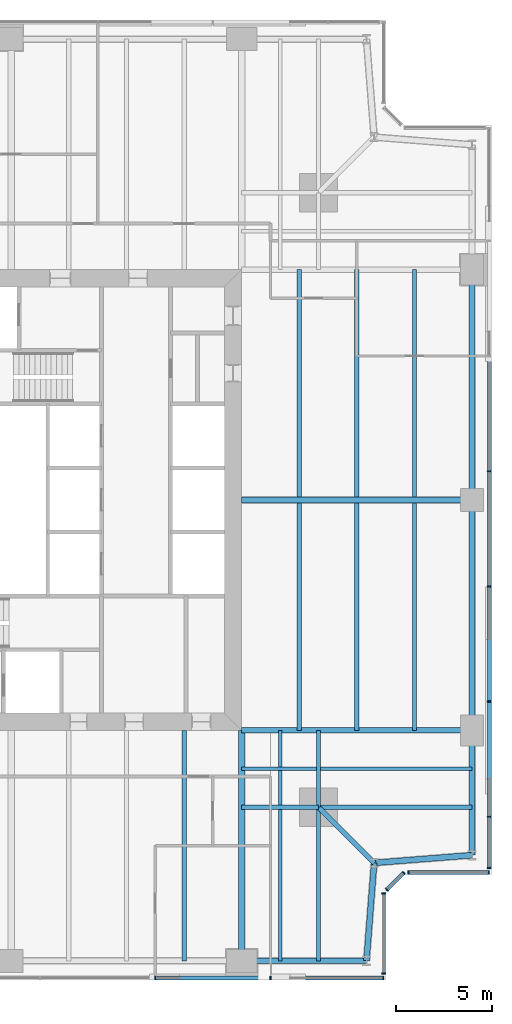
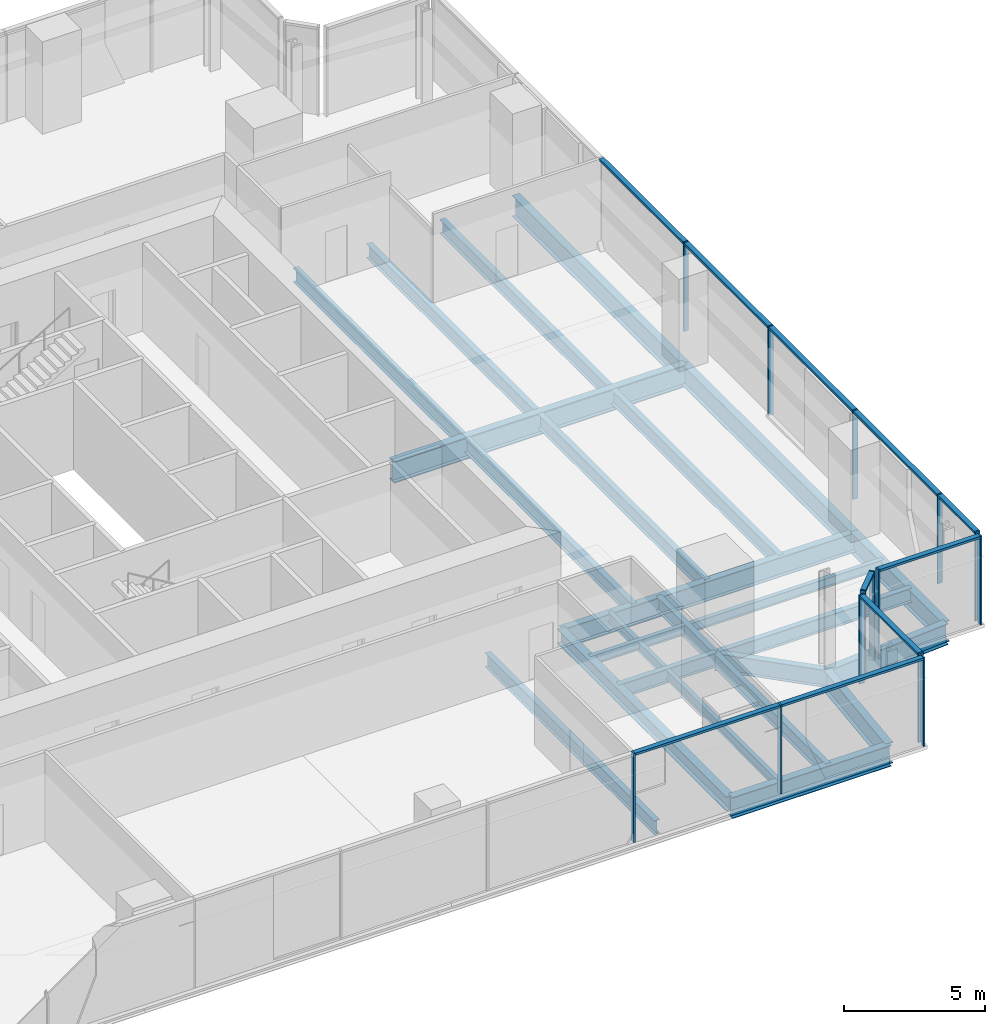
# One storey, part 5 of 14: 26 beams, 24 members, 5 elements without a shape of their own.
"""IFC4 building model written with IfcOpenShell, lengths in metres."""

from ifc_helpers import new_model, si_unit, direction, frame, origin, origin_2d, place, context, subcontext, project, spatial, rectangle, i_section, extrude, material, material_profile, profile_set, type_object, element, aggregate, save


model = new_model("IFC4")

# Units and contexts
model_context = context("Model", 3, precision=1e-05, world=origin(), true_north=direction((0.0, 1.0)))
body_context = subcontext(model_context, "Body", "Model", "MODEL_VIEW")
ifc_project = project(units=[si_unit("LENGTHUNIT", "METRE"), si_unit("AREAUNIT", "SQUARE_METRE"), si_unit("VOLUMEUNIT", "CUBIC_METRE"), si_unit("PLANEANGLEUNIT", "RADIAN"), si_unit("MASSUNIT", "GRAM", prefix="KILO")], contexts=[model_context])

# Site, building, storey
site_placement = place(None, origin())
site = spatial("IfcSite", under=ifc_project, at=site_placement, CompositionType="ELEMENT")
building_placement = place(site_placement, origin())
building = spatial("IfcBuilding", under=site, at=building_placement, Name="Fenwick Lantern Interchange", CompositionType="ELEMENT")
storey_placement = place(building_placement, frame((0.0, 0.0, 197.800048828125)))
storey = spatial("IfcBuildingStorey", under=building, at=storey_placement, Name="L46", CompositionType="ELEMENT", Elevation=197.800048828125)

# Beams
ifc_material_1 = material(Name="Steel ASTM A992 Grade 50", Category="steel")
ifc_material_profile_1 = material_profile(ifc_material_1, i_section(OverallWidth=0.3046875, OverallDepth=0.911865234375, WebThickness=0.015869140625, FlangeThickness=0.02392578125, at=origin_2d()), Name="W36X150")
ifc_profile_set_1 = profile_set([ifc_material_profile_1], Name="Steel ASTM A992 Grade 50")
beam_type_1 = type_object("IfcBeamType", Name="EDGE BEAM W36X150", PredefinedType="SPANDREL", material=ifc_profile_set_1)
beam_1_placement = place(storey_placement, frame((37.0, 1.0, -0.60595703125), z_axis=(1.0, 0.0, 0.0), x_axis=(0.0, 1.0, 0.0)))
element("IfcBeam", 1, at=beam_1_placement, inside=storey, type_object=beam_type_1, Name="L46/FR/S/EB4", PredefinedType="SPANDREL", context=body_context, shape_type="SweptSolid", body=[
    extrude(i_section(OverallWidth=0.3046875, OverallDepth=0.911865234375, WebThickness=0.015869140625, FlangeThickness=0.02392578125, at=origin_2d()), origin(), (0.0, 0.0, 1.0), 6.5),
])
for number, where, z_axis, x_axis, name in (
    (2, (43.5, 1.0, -0.60595703125), (0.078170784639, 0.99693998236, 0.0), (-0.99693998236, 0.078170784639, 0.0), "L46/FR/S/EBR1"),
    (3, (43.89990234375, 6.10009765625, -0.60595703125), (0.99693998236, 0.078170784639, 0.0), (-0.078170784639, 0.99693998236, 0.0), "L46/FR/S/EBR2"),
):
    element("IfcBeam", number, at=place(storey_placement, frame(where, z_axis=z_axis, x_axis=x_axis)), inside=storey, type_object=beam_type_1, Name=name, PredefinedType="SPANDREL", context=body_context, shape_type="SweptSolid", body=[
        extrude(i_section(OverallWidth=0.3046875, OverallDepth=0.911865234375, WebThickness=0.015869140625, FlangeThickness=0.02392578125, at=origin_2d()), origin(), (0.0, 0.0, 1.0), 5.11572265625),
    ])
beam_2_placement = place(storey_placement, frame((49.0, 6.5, -0.60595703125), z_axis=(0.0, 1.0, 0.0), x_axis=(-1.0, 0.0, 0.0)))
element("IfcBeam", 4, at=beam_2_placement, inside=storey, type_object=beam_type_1, Name="L46/FR/E/EB1", PredefinedType="SPANDREL", context=body_context, shape_type="SweptSolid", body=[
    extrude(i_section(OverallWidth=0.3046875, OverallDepth=0.911865234375, WebThickness=0.015869140625, FlangeThickness=0.02392578125, at=origin_2d()), origin(), (0.0, 0.0, 1.0), 6.5),
])
for number, where, z_axis, x_axis, name in (
    (5, (49.0, 13.0, -0.60595703125), (0.0, 1.0, 0.0), (-1.0, 0.0, 0.0), "L46/FR/E/EB2"),
    (6, (49.0, 25.0, -0.60595703125), (0.0, 1.0, 0.0), (-1.0, 0.0, 0.0), "L46/FR/E/EB3"),
):
    element("IfcBeam", number, at=place(storey_placement, frame(where, z_axis=z_axis, x_axis=x_axis)), inside=storey, type_object=beam_type_1, Name=name, PredefinedType="SPANDREL", context=body_context, shape_type="SweptSolid", body=[
        extrude(i_section(OverallWidth=0.3046875, OverallDepth=0.911865234375, WebThickness=0.015869140625, FlangeThickness=0.02392578125, at=origin_2d()), origin(), (0.0, 0.0, 1.0), 12.0),
    ])
ifc_material_profile_2 = material_profile(ifc_material_1, i_section(OverallWidth=0.22900390625, OverallDepth=0.612060546875, WebThickness=0.011962890625, FlangeThickness=0.01953125, at=origin_2d()), Name="W24X84")
ifc_profile_set_2 = profile_set([ifc_material_profile_2], Name="Steel ASTM A992 Grade 50")
beam_type_2 = type_object("IfcBeamType", Name="FLOOR BEAM W24X84", PredefinedType="BEAM", material=ifc_profile_set_2)
beam_3_placement = place(storey_placement, frame((34.0, 1.0, -0.4560546875), z_axis=(0.0, 1.0, 0.0), x_axis=(-1.0, 0.0, 0.0)))
element("IfcBeam", 7, at=beam_3_placement, inside=storey, type_object=beam_type_2, Name="L46/FR/S/R08", PredefinedType="BEAM", context=body_context, shape_type="SweptSolid", body=[
    extrude(i_section(OverallWidth=0.22900390625, OverallDepth=0.612060546875, WebThickness=0.011962890625, FlangeThickness=0.01953125, at=origin_2d()), origin(), (0.0, 0.0, 1.0), 12.0),
])
for number, where, z_axis, x_axis, name in (
    (8, (46.0, 13.0, -0.4560546875), (0.0, 1.0, 0.0), (-1.0, 0.0, 0.0), "L46/FR/E/B01"),
    (9, (43.0, 13.0, -0.4560546875), (0.0, 1.0, 0.0), (-1.0, 0.0, 0.0), "L46/FR/E/B02"),
    (10, (40.0, 13.0, -0.4560546875), (0.0, 1.0, 0.0), (-1.0, 0.0, 0.0), "L46/FR/E/B03"),
    (11, (46.0, 25.155029296875, -0.4560546875), (0.0, 1.0, 0.0), (-1.0, 0.0, 0.0), "L46/FR/E/B04"),
    (12, (43.0, 25.155029296875, -0.4560546875), (0.0, 1.0, 0.0), (-1.0, 0.0, 0.0), "L46/FR/E/B05"),
    (13, (40.0, 25.155029296875, -0.4560546875), (0.0, 1.0, 0.0), (-1.0, 0.0, 0.0), "L46/FR/E/B06"),
):
    element("IfcBeam", number, at=place(storey_placement, frame(where, z_axis=z_axis, x_axis=x_axis)), inside=storey, type_object=beam_type_2, Name=name, PredefinedType="BEAM", context=body_context, shape_type="SweptSolid", body=[
        extrude(i_section(OverallWidth=0.22900390625, OverallDepth=0.612060546875, WebThickness=0.011962890625, FlangeThickness=0.01953125, at=origin_2d()), origin(), (0.0, 0.0, 1.0), 11.844970703125),
    ])
ifc_material_profile_3 = material_profile(ifc_material_1, i_section(OverallWidth=0.177734375, OverallDepth=0.406494140625, WebThickness=0.0078125, FlangeThickness=0.012939453125, at=origin_2d()), Name="W16X40")
ifc_profile_set_3 = profile_set([ifc_material_profile_3], Name="Steel ASTM A992 Grade 50")
beam_type_3 = type_object("IfcBeamType", Name="INFILL BEAM W16X40", PredefinedType="JOIST", material=ifc_profile_set_3)
beam_4_placement = place(storey_placement, frame((49.0, 11.0, -0.353271484375), z_axis=(-1.0, 0.0, 0.0), x_axis=(0.0, -1.0, 0.0)))
element("IfcBeam", 14, at=beam_4_placement, inside=storey, type_object=beam_type_3, Name="L46/FR/E/J1", PredefinedType="JOIST", context=body_context, shape_type="SweptSolid", body=[
    extrude(i_section(OverallWidth=0.177734375, OverallDepth=0.406494140625, WebThickness=0.0078125, FlangeThickness=0.012939453125, at=origin_2d()), origin(), (0.0, 0.0, 1.0), 7.885498046875),
])
beam_5_placement = place(storey_placement, frame((40.885498046875, 11.0, -0.353271484375), z_axis=(-1.0, 0.0, 0.0), x_axis=(0.0, -1.0, 0.0)))
element("IfcBeam", 15, at=beam_5_placement, inside=storey, type_object=beam_type_3, Name="L46/FR/E/J2", PredefinedType="JOIST", context=body_context, shape_type="SweptSolid", body=[
    extrude(i_section(OverallWidth=0.177734375, OverallDepth=0.406494140625, WebThickness=0.0078125, FlangeThickness=0.012939453125, at=origin_2d()), origin(), (0.0, 0.0, 1.0), 3.885498046875),
])
beam_6_placement = place(storey_placement, frame((39.0, 1.0, -0.353271484375), z_axis=(0.0, 1.0, 0.0), x_axis=(-1.0, 0.0, 0.0)))
element("IfcBeam", 16, at=beam_6_placement, inside=storey, type_object=beam_type_3, Name="L46/FR/E/J3", PredefinedType="JOIST", context=body_context, shape_type="SweptSolid", body=[
    extrude(i_section(OverallWidth=0.177734375, OverallDepth=0.406494140625, WebThickness=0.0078125, FlangeThickness=0.012939453125, at=origin_2d()), origin(), (0.0, 0.0, 1.0), 7.885498046875),
])
beam_7_placement = place(storey_placement, frame((39.0, 9.114501953125, -0.353271484375), z_axis=(0.0, 1.0, 0.0), x_axis=(-1.0, 0.0, 0.0)))
element("IfcBeam", 17, at=beam_7_placement, inside=storey, type_object=beam_type_3, Name="L46/FR/E/J4", PredefinedType="JOIST", context=body_context, shape_type="SweptSolid", body=[
    extrude(i_section(OverallWidth=0.177734375, OverallDepth=0.406494140625, WebThickness=0.0078125, FlangeThickness=0.012939453125, at=origin_2d()), origin(), (0.0, 0.0, 1.0), 1.796630859375),
])
beam_8_placement = place(storey_placement, frame((39.0, 11.0888671875, -0.353271484375), z_axis=(0.0, 1.0, 0.0), x_axis=(-1.0, 0.0, 0.0)))
element("IfcBeam", 18, at=beam_8_placement, inside=storey, type_object=beam_type_3, Name="L46/FR/E/J5", PredefinedType="JOIST", context=body_context, shape_type="SweptSolid", body=[
    extrude(i_section(OverallWidth=0.177734375, OverallDepth=0.406494140625, WebThickness=0.0078125, FlangeThickness=0.012939453125, at=origin_2d()), origin(), (0.0, 0.0, 1.0), 1.9111328125),
])
ifc_material_profile_4 = material_profile(ifc_material_1, i_section(OverallWidth=0.22900390625, OverallDepth=0.612060546875, WebThickness=0.011962890625, FlangeThickness=0.01953125, at=origin_2d()), Name="W24X84")
ifc_profile_set_4 = profile_set([ifc_material_profile_4], Name="Steel ASTM A992 Grade 50")
beam_type_4 = type_object("IfcBeamType", Name="MEGA COLUMN BEAM W24X84", PredefinedType="BEAM", material=ifc_profile_set_4)
for number, where, z_axis, x_axis, name in (
    (19, (41.0, 9.0, -0.4560546875), (1.0, 0.0, 0.0), (0.0, 1.0, 0.0), "L46/FR/E/MB1"),
    (20, (41.0, 9.0, -0.4560546875), (0.0, -1.0, 0.0), (1.0, 0.0, 0.0), "L46/FR/E/MB2"),
):
    element("IfcBeam", number, at=place(storey_placement, frame(where, z_axis=z_axis, x_axis=x_axis)), inside=storey, type_object=beam_type_4, Name=name, PredefinedType="BEAM", context=body_context, shape_type="SweptSolid", body=[
        extrude(i_section(OverallWidth=0.22900390625, OverallDepth=0.612060546875, WebThickness=0.011962890625, FlangeThickness=0.01953125, at=origin_2d()), origin(), (0.0, 0.0, 1.0), 8.0),
    ])
for number, where, z_axis, x_axis, name in (
    (21, (41.0, 9.0, -0.4560546875), (0.0, 1.0, 0.0), (-1.0, 0.0, 0.0), "L46/FR/E/MB3"),
    (22, (41.0, 9.0, -0.4560546875), (-1.0, 0.0, 0.0), (0.0, -1.0, 0.0), "L46/FR/E/MB4"),
):
    element("IfcBeam", number, at=place(storey_placement, frame(where, z_axis=z_axis, x_axis=x_axis)), inside=storey, type_object=beam_type_4, Name=name, PredefinedType="BEAM", context=body_context, shape_type="SweptSolid", body=[
        extrude(i_section(OverallWidth=0.22900390625, OverallDepth=0.612060546875, WebThickness=0.011962890625, FlangeThickness=0.01953125, at=origin_2d()), origin(), (0.0, 0.0, 1.0), 4.0),
    ])
ifc_material_profile_5 = material_profile(ifc_material_1, i_section(OverallWidth=0.32763671875, OverallDepth=0.622314453125, WebThickness=0.015380859375, FlangeThickness=0.0244140625, at=origin_2d()), Name="W24X131")
ifc_profile_set_5 = profile_set([ifc_material_profile_5], Name="Steel ASTM A992 Grade 50")
beam_type_5 = type_object("IfcBeamType", Name="MOMENT-CONNECTED GIRDER W24X131", PredefinedType="BEAM", material=ifc_profile_set_5)
beam_9_placement = place(storey_placement, frame((37.0, 1.0, -0.461181640625), z_axis=(0.0, 1.0, 0.0), x_axis=(-1.0, 0.0, 0.0)))
element("IfcBeam", 23, at=beam_9_placement, inside=storey, type_object=beam_type_5, Name="L46/FR/S/R09", PredefinedType="BEAM", context=body_context, shape_type="SweptSolid", body=[
    extrude(i_section(OverallWidth=0.32763671875, OverallDepth=0.622314453125, WebThickness=0.015380859375, FlangeThickness=0.0244140625, at=origin_2d()), origin(), (0.0, 0.0, 1.0), 12.0),
])
ifc_material_profile_6 = material_profile(ifc_material_1, i_section(OverallWidth=0.2919921875, OverallDepth=0.845703125, WebThickness=0.015380859375, FlangeThickness=0.0244140625, at=origin_2d()), Name="W33X141")
ifc_profile_set_6 = profile_set([ifc_material_profile_6], Name="Steel ASTM A992 Grade 50")
beam_type_6 = type_object("IfcBeamType", Name="MOMENT-CONNECTED GIRDER W33X141", PredefinedType="BEAM", material=ifc_profile_set_6)
beam_10_placement = place(storey_placement, frame((49.0, 13.0, -0.572998046875), z_axis=(-1.0, 0.0, 0.0), x_axis=(0.0, -1.0, 0.0)))
element("IfcBeam", 24, at=beam_10_placement, inside=storey, type_object=beam_type_6, Name="L46/FR/E/R01", PredefinedType="BEAM", context=body_context, shape_type="SweptSolid", body=[
    extrude(i_section(OverallWidth=0.2919921875, OverallDepth=0.845703125, WebThickness=0.015380859375, FlangeThickness=0.0244140625, at=origin_2d()), origin(), (0.0, 0.0, 1.0), 12.0),
])
ifc_material_profile_7 = material_profile(ifc_material_1, i_section(OverallWidth=0.309814453125, OverallDepth=0.949951171875, WebThickness=0.0244140625, FlangeThickness=0.0439453125, at=origin_2d()), Name="W36X256")
ifc_profile_set_7 = profile_set([ifc_material_profile_7], Name="Steel ASTM A992 Grade 50")
beam_type_7 = type_object("IfcBeamType", Name="MOMENT-CONNECTED GIRDER W36X256", PredefinedType="BEAM", material=ifc_profile_set_7)
beam_11_placement = place(storey_placement, frame((49.0, 25.0, -0.625), z_axis=(-1.0, 0.0, 0.0), x_axis=(0.0, -1.0, 0.0)))
element("IfcBeam", 25, at=beam_11_placement, inside=storey, type_object=beam_type_7, Name="L46/FR/E/R02", PredefinedType="BEAM", context=body_context, shape_type="SweptSolid", body=[
    extrude(i_section(OverallWidth=0.309814453125, OverallDepth=0.949951171875, WebThickness=0.0244140625, FlangeThickness=0.0439453125, at=origin_2d()), origin(), (0.0, 0.0, 1.0), 12.0),
])
ifc_material_profile_8 = material_profile(ifc_material_1, i_section(OverallWidth=0.2666015625, OverallDepth=0.7568359375, WebThickness=0.013916015625, FlangeThickness=0.019287109375, at=origin_2d()), Name="W30X108")
ifc_profile_set_8 = profile_set([ifc_material_profile_8], Name="Steel ASTM A992 Grade 50")
beam_type_8 = type_object("IfcBeamType", Name="NOTCH BEAM W30X108", PredefinedType="BEAM", material=ifc_profile_set_8)
beam_12_placement = place(storey_placement, frame((41.0, 9.0, -0.528564453125), z_axis=(0.707106781187, -0.707106781187, 0.0), x_axis=(0.707106781187, 0.707106781187, 0.0)))
element("IfcBeam", 26, at=beam_12_placement, inside=storey, type_object=beam_type_8, Name="L46/FR/E/TG", PredefinedType="BEAM", context=body_context, shape_type="SweptSolid", body=[
    extrude(i_section(OverallWidth=0.2666015625, OverallDepth=0.7568359375, WebThickness=0.013916015625, FlangeThickness=0.019287109375, at=origin_2d()), origin(), (0.0, 0.0, 1.0), 4.10107421875),
])

# Curtain wall, members
ifc_material_2 = material(Name="Aluminium curtain wall frame", Category="aluminium")
curtain_wall_type = type_object("IfcCurtainWallType", Name="OFFICE CURTAIN WALL", PredefinedType="USERDEFINED", material=ifc_material_2)
curtain_wall_1_placement = place(storey_placement, origin())
curtain_wall_1 = element("IfcCurtainWall", 27, at=curtain_wall_1_placement, inside=storey, type_object=curtain_wall_type, Name="Office curtain wall 01", ObjectType="OFFICE CURTAIN WALL", PredefinedType="USERDEFINED")
ifc_material_3 = material(Name="Aluminium extrusion", Category="aluminium")
ifc_material_profile_9 = material_profile(ifc_material_3, rectangle(XDim=0.199951171875, YDim=0.06494140625, at=origin_2d()), Name="OFFICE CURTAIN WALL MULLION 65 X 200")
ifc_profile_set_9 = profile_set([ifc_material_profile_9], Name="Aluminium extrusion")
member_type_1 = type_object("IfcMemberType", Name="OFFICE CURTAIN WALL MULLION 65 X 200", PredefinedType="MULLION", material=ifc_profile_set_9)
member_1_placement = place(storey_placement, frame((32.5, 0.10009765625, 0.0), z_axis=(0.0, 0.0, 1.0), x_axis=(0.0, 1.0, 0.0)))
member_1 = element("IfcMember", 28, at=member_1_placement, type_object=member_type_1, Name="L46/CW/01/M05", PredefinedType="MULLION", context=body_context, shape_type="SweptSolid", body=[
    extrude(rectangle(XDim=0.199951171875, YDim=0.06494140625, at=origin_2d()), origin(), (0.0, 0.0, 1.0), 3.849853515625),
])
member_2_placement = place(storey_placement, frame((38.5, 0.10009765625, 0.0), z_axis=(0.0, 0.0, 1.0), x_axis=(0.0, 1.0, 0.0)))
member_2 = element("IfcMember", 29, at=member_2_placement, type_object=member_type_1, Name="L46/CW/01/M06", PredefinedType="MULLION", context=body_context, shape_type="SweptSolid", body=[
    extrude(rectangle(XDim=0.199951171875, YDim=0.06494140625, at=origin_2d()), origin(), (0.0, 0.0, 1.0), 3.849853515625),
])
member_3_placement = place(storey_placement, frame((44.367431640625, 0.10009765625, 0.0), z_axis=(0.0, 0.0, 1.0), x_axis=(0.0, 1.0, 0.0)))
member_3 = element("IfcMember", 30, at=member_3_placement, type_object=member_type_1, Name="L46/CW/01/M07", PredefinedType="MULLION", context=body_context, shape_type="SweptSolid", body=[
    extrude(rectangle(XDim=0.199951171875, YDim=0.06494140625, at=origin_2d()), origin(), (0.0, 0.0, 1.0), 3.849853515625),
])

curtain_wall_2_placement = place(storey_placement, origin())
curtain_wall_2 = element("IfcCurtainWall", 31, at=curtain_wall_2_placement, inside=storey, type_object=curtain_wall_type, Name="Office curtain wall 02", ObjectType="OFFICE CURTAIN WALL", PredefinedType="USERDEFINED")
member_4_placement = place(storey_placement, frame((44.39990234375, 0.33251953125, 0.0), z_axis=(0.0, 0.0, 1.0), x_axis=(-1.0, 0.0, 0.0)))
member_4 = element("IfcMember", 32, at=member_4_placement, type_object=member_type_1, Name="L46/CW/02/M00", PredefinedType="MULLION", context=body_context, shape_type="SweptSolid", body=[
    extrude(rectangle(XDim=0.199951171875, YDim=0.06494140625, at=origin_2d()), origin(), (0.0, 0.0, 1.0), 3.849853515625),
])
member_5_placement = place(storey_placement, frame((44.39990234375, 4.509033203125, 0.0), z_axis=(0.0, 0.0, 1.0), x_axis=(-1.0, 0.0, 0.0)))
member_5 = element("IfcMember", 33, at=member_5_placement, type_object=member_type_1, Name="L46/CW/02/M01", PredefinedType="MULLION", context=body_context, shape_type="SweptSolid", body=[
    extrude(rectangle(XDim=0.199951171875, YDim=0.06494140625, at=origin_2d()), origin(), (0.0, 0.0, 1.0), 3.849853515625),
])

curtain_wall_3_placement = place(storey_placement, origin())
curtain_wall_3 = element("IfcCurtainWall", 34, at=curtain_wall_3_placement, inside=storey, type_object=curtain_wall_type, Name="Office curtain wall 03", ObjectType="OFFICE CURTAIN WALL", PredefinedType="USERDEFINED")
member_6_placement = place(storey_placement, frame((44.564453125, 4.705810546875, 0.0), z_axis=(0.0, 0.0, 1.0), x_axis=(-0.707106781187, 0.707106781187, 0.0)))
member_6 = element("IfcMember", 35, at=member_6_placement, type_object=member_type_1, Name="L46/CW/03/M00", PredefinedType="MULLION", context=body_context, shape_type="SweptSolid", body=[
    extrude(rectangle(XDim=0.199951171875, YDim=0.06494140625, at=origin_2d()), origin(), (0.0, 0.0, 1.0), 3.849853515625),
])
member_7_placement = place(storey_placement, frame((45.435546875, 5.576904296875, 0.0), z_axis=(0.0, 0.0, 1.0), x_axis=(-0.707106781187, 0.707106781187, 0.0)))
member_7 = element("IfcMember", 36, at=member_7_placement, type_object=member_type_1, Name="L46/CW/03/M01", PredefinedType="MULLION", context=body_context, shape_type="SweptSolid", body=[
    extrude(rectangle(XDim=0.199951171875, YDim=0.06494140625, at=origin_2d()), origin(), (0.0, 0.0, 1.0), 3.849853515625),
])

curtain_wall_4_placement = place(storey_placement, origin())
curtain_wall_4 = element("IfcCurtainWall", 37, at=curtain_wall_4_placement, inside=storey, type_object=curtain_wall_type, Name="Office curtain wall 04", ObjectType="OFFICE CURTAIN WALL", PredefinedType="USERDEFINED")
member_8_placement = place(storey_placement, frame((45.691162109375, 5.60009765625, 0.0), z_axis=(0.0, 0.0, 1.0), x_axis=(0.0, 1.0, 0.0)))
member_8 = element("IfcMember", 38, at=member_8_placement, type_object=member_type_1, Name="L46/CW/04/M00", PredefinedType="MULLION", context=body_context, shape_type="SweptSolid", body=[
    extrude(rectangle(XDim=0.199951171875, YDim=0.06494140625, at=origin_2d()), origin(), (0.0, 0.0, 1.0), 3.849853515625),
])
member_9_placement = place(storey_placement, frame((49.867431640625, 5.60009765625, 0.0), z_axis=(0.0, 0.0, 1.0), x_axis=(0.0, 1.0, 0.0)))
member_9 = element("IfcMember", 39, at=member_9_placement, type_object=member_type_1, Name="L46/CW/04/M01", PredefinedType="MULLION", context=body_context, shape_type="SweptSolid", body=[
    extrude(rectangle(XDim=0.199951171875, YDim=0.06494140625, at=origin_2d()), origin(), (0.0, 0.0, 1.0), 3.849853515625),
])

curtain_wall_5_placement = place(storey_placement, origin())
curtain_wall_5 = element("IfcCurtainWall", 40, at=curtain_wall_5_placement, inside=storey, type_object=curtain_wall_type, Name="Office curtain wall 05", ObjectType="OFFICE CURTAIN WALL", PredefinedType="USERDEFINED")
member_10_placement = place(storey_placement, frame((49.89990234375, 5.83251953125, 0.0), z_axis=(0.0, 0.0, 1.0), x_axis=(-1.0, 0.0, 0.0)))
member_10 = element("IfcMember", 41, at=member_10_placement, type_object=member_type_1, Name="L46/CW/05/M00", PredefinedType="MULLION", context=body_context, shape_type="SweptSolid", body=[
    extrude(rectangle(XDim=0.199951171875, YDim=0.06494140625, at=origin_2d()), origin(), (0.0, 0.0, 1.0), 3.849853515625),
])
member_11_placement = place(storey_placement, frame((49.89990234375, 8.5, 0.0), z_axis=(0.0, 0.0, 1.0), x_axis=(-1.0, 0.0, 0.0)))
member_11 = element("IfcMember", 42, at=member_11_placement, type_object=member_type_1, Name="L46/CW/05/M01", PredefinedType="MULLION", context=body_context, shape_type="SweptSolid", body=[
    extrude(rectangle(XDim=0.199951171875, YDim=0.06494140625, at=origin_2d()), origin(), (0.0, 0.0, 1.0), 3.849853515625),
])
member_12_placement = place(storey_placement, frame((49.89990234375, 14.5, 0.0), z_axis=(0.0, 0.0, 1.0), x_axis=(-1.0, 0.0, 0.0)))
member_12 = element("IfcMember", 43, at=member_12_placement, type_object=member_type_1, Name="L46/CW/05/M02", PredefinedType="MULLION", context=body_context, shape_type="SweptSolid", body=[
    extrude(rectangle(XDim=0.199951171875, YDim=0.06494140625, at=origin_2d()), origin(), (0.0, 0.0, 1.0), 3.849853515625),
])
member_13_placement = place(storey_placement, frame((49.89990234375, 20.5, 0.0), z_axis=(0.0, 0.0, 1.0), x_axis=(-1.0, 0.0, 0.0)))
member_13 = element("IfcMember", 44, at=member_13_placement, type_object=member_type_1, Name="L46/CW/05/M03", PredefinedType="MULLION", context=body_context, shape_type="SweptSolid", body=[
    extrude(rectangle(XDim=0.199951171875, YDim=0.06494140625, at=origin_2d()), origin(), (0.0, 0.0, 1.0), 3.849853515625),
])
member_14_placement = place(storey_placement, frame((49.89990234375, 26.5, 0.0), z_axis=(0.0, 0.0, 1.0), x_axis=(-1.0, 0.0, 0.0)))
member_14 = element("IfcMember", 45, at=member_14_placement, type_object=member_type_1, Name="L46/CW/05/M04", PredefinedType="MULLION", context=body_context, shape_type="SweptSolid", body=[
    extrude(rectangle(XDim=0.199951171875, YDim=0.06494140625, at=origin_2d()), origin(), (0.0, 0.0, 1.0), 3.849853515625),
])

# Member
ifc_material_profile_10 = material_profile(ifc_material_3, rectangle(XDim=0.199951171875, YDim=0.10009765625, at=origin_2d()), Name="OFFICE CURTAIN WALL TRANSOM 100 X 200")
ifc_profile_set_10 = profile_set([ifc_material_profile_10], Name="Aluminium extrusion")
member_type_2 = type_object("IfcMemberType", Name="OFFICE CURTAIN WALL TRANSOM 100 X 200", PredefinedType="MULLION", material=ifc_profile_set_10)
member_15_placement = place(storey_placement, frame((32.532470703125, 0.10009765625, 3.800048828125), z_axis=(1.0, 0.0, 0.0), x_axis=(0.0, 1.0, 0.0)))
member_15 = element("IfcMember", 46, at=member_15_placement, type_object=member_type_2, Name="L46/CW/01/T05", PredefinedType="MULLION", context=body_context, shape_type="SweptSolid", body=[
    extrude(rectangle(XDim=0.199951171875, YDim=0.10009765625, at=origin_2d()), origin(), (0.0, 0.0, 1.0), 5.93505859375),
])

member_16_placement = place(storey_placement, frame((38.532470703125, 0.10009765625, 3.800048828125), z_axis=(1.0, 0.0, 0.0), x_axis=(0.0, 1.0, 0.0)))
member_16 = element("IfcMember", 47, at=member_16_placement, type_object=member_type_2, Name="L46/CW/01/T06", PredefinedType="MULLION", context=body_context, shape_type="SweptSolid", body=[
    extrude(rectangle(XDim=0.199951171875, YDim=0.10009765625, at=origin_2d()), origin(), (0.0, 0.0, 1.0), 5.802490234375),
])

aggregate(curtain_wall_1, [member_1, member_2, member_3, member_15, member_16])

member_17_placement = place(storey_placement, frame((44.39990234375, 0.364990234375, 3.800048828125), z_axis=(0.0, 1.0, 0.0), x_axis=(-1.0, 0.0, 0.0)))
member_17 = element("IfcMember", 48, at=member_17_placement, type_object=member_type_2, Name="L46/CW/02/T00", PredefinedType="MULLION", context=body_context, shape_type="SweptSolid", body=[
    extrude(rectangle(XDim=0.199951171875, YDim=0.10009765625, at=origin_2d()), origin(), (0.0, 0.0, 1.0), 4.111328125),
])

aggregate(curtain_wall_2, [member_4, member_5, member_17])

member_18_placement = place(storey_placement, frame((44.58740234375, 4.728759765625, 3.800048828125), z_axis=(0.707106781187, 0.707106781187, 0.0), x_axis=(-0.707106781187, 0.707106781187, 0.0)))
member_18 = element("IfcMember", 49, at=member_18_placement, type_object=member_type_2, Name="L46/CW/03/T00", PredefinedType="MULLION", context=body_context, shape_type="SweptSolid", body=[
    extrude(rectangle(XDim=0.199951171875, YDim=0.10009765625, at=origin_2d()), origin(), (0.0, 0.0, 1.0), 1.1669921875),
])

aggregate(curtain_wall_3, [member_6, member_7, member_18])

member_19_placement = place(storey_placement, frame((45.7236328125, 5.60009765625, 3.800048828125), z_axis=(1.0, 0.0, 0.0), x_axis=(0.0, 1.0, 0.0)))
member_19 = element("IfcMember", 50, at=member_19_placement, type_object=member_type_2, Name="L46/CW/04/T00", PredefinedType="MULLION", context=body_context, shape_type="SweptSolid", body=[
    extrude(rectangle(XDim=0.199951171875, YDim=0.10009765625, at=origin_2d()), origin(), (0.0, 0.0, 1.0), 4.111328125),
])

aggregate(curtain_wall_4, [member_8, member_9, member_19])

member_20_placement = place(storey_placement, frame((49.89990234375, 5.864990234375, 3.800048828125), z_axis=(0.0, 1.0, 0.0), x_axis=(-1.0, 0.0, 0.0)))
member_20 = element("IfcMember", 51, at=member_20_placement, type_object=member_type_2, Name="L46/CW/05/T00", PredefinedType="MULLION", context=body_context, shape_type="SweptSolid", body=[
    extrude(rectangle(XDim=0.199951171875, YDim=0.10009765625, at=origin_2d()), origin(), (0.0, 0.0, 1.0), 2.6025390625),
])

member_21_placement = place(storey_placement, frame((49.89990234375, 8.532470703125, 3.800048828125), z_axis=(0.0, 1.0, 0.0), x_axis=(-1.0, 0.0, 0.0)))
member_21 = element("IfcMember", 52, at=member_21_placement, type_object=member_type_2, Name="L46/CW/05/T01", PredefinedType="MULLION", context=body_context, shape_type="SweptSolid", body=[
    extrude(rectangle(XDim=0.199951171875, YDim=0.10009765625, at=origin_2d()), origin(), (0.0, 0.0, 1.0), 5.93505859375),
])

member_22_placement = place(storey_placement, frame((49.89990234375, 14.532470703125, 3.800048828125), z_axis=(0.0, 1.0, 0.0), x_axis=(-1.0, 0.0, 0.0)))
member_22 = element("IfcMember", 53, at=member_22_placement, type_object=member_type_2, Name="L46/CW/05/T02", PredefinedType="MULLION", context=body_context, shape_type="SweptSolid", body=[
    extrude(rectangle(XDim=0.199951171875, YDim=0.10009765625, at=origin_2d()), origin(), (0.0, 0.0, 1.0), 5.93505859375),
])

member_23_placement = place(storey_placement, frame((49.89990234375, 20.532470703125, 3.800048828125), z_axis=(0.0, 1.0, 0.0), x_axis=(-1.0, 0.0, 0.0)))
member_23 = element("IfcMember", 54, at=member_23_placement, type_object=member_type_2, Name="L46/CW/05/T03", PredefinedType="MULLION", context=body_context, shape_type="SweptSolid", body=[
    extrude(rectangle(XDim=0.199951171875, YDim=0.10009765625, at=origin_2d()), origin(), (0.0, 0.0, 1.0), 5.93505859375),
])

member_24_placement = place(storey_placement, frame((49.89990234375, 26.532470703125, 3.800048828125), z_axis=(0.0, 1.0, 0.0), x_axis=(-1.0, 0.0, 0.0)))
member_24 = element("IfcMember", 55, at=member_24_placement, type_object=member_type_2, Name="L46/CW/05/T04", PredefinedType="MULLION", context=body_context, shape_type="SweptSolid", body=[
    extrude(rectangle(XDim=0.199951171875, YDim=0.10009765625, at=origin_2d()), origin(), (0.0, 0.0, 1.0), 5.93505859375),
])

aggregate(curtain_wall_5, [member_10, member_11, member_12, member_13, member_14, member_20, member_21, member_22, member_23, member_24])

save(model, "model.ifc")
